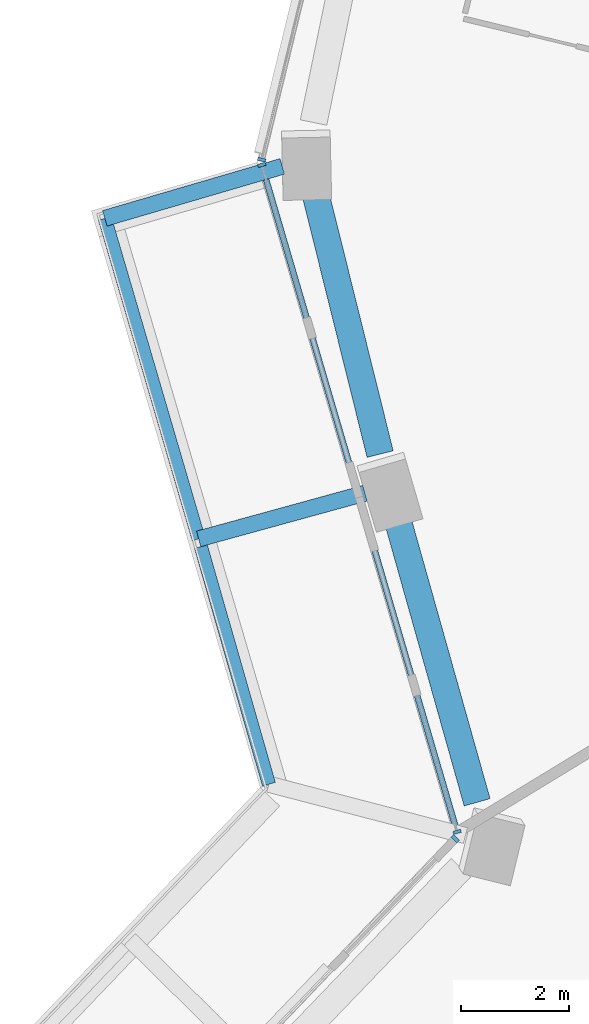
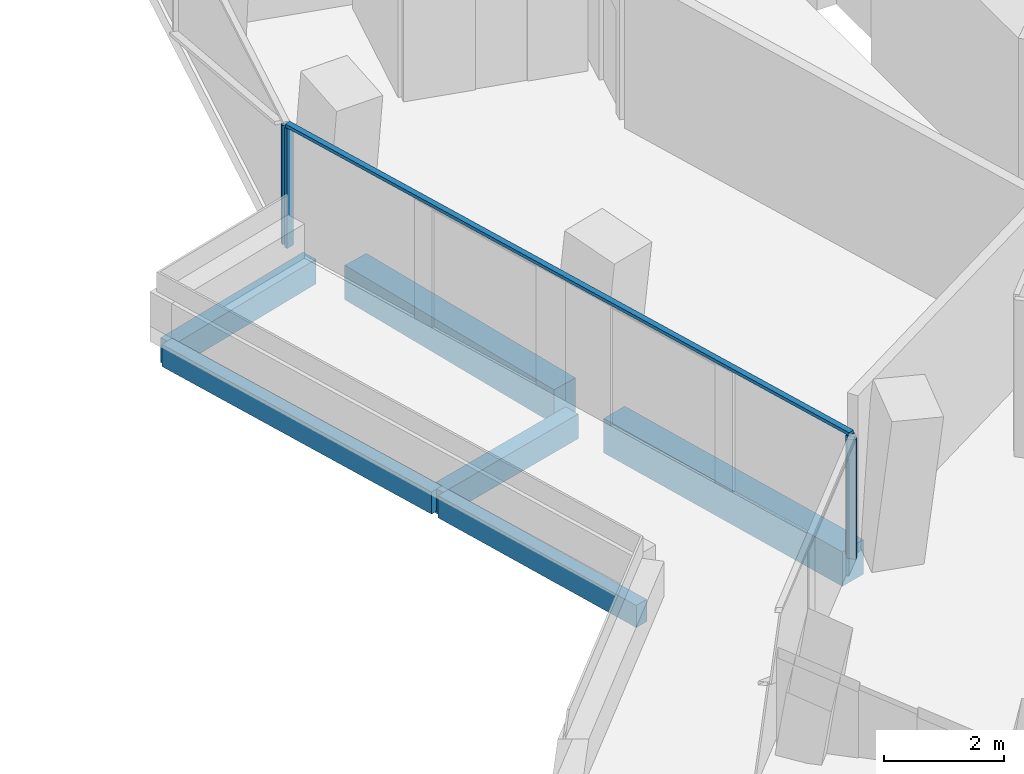
# One storey, part 4 of 25: 6 beams, 5 members, 3 elements without a shape of their own.
"""IFC4 building model written with IfcOpenShell, lengths in metres."""

from ifc_helpers import new_model, si_unit, direction, frame, origin, origin_2d, place, context, subcontext, project, spatial, rectangle, extrude, material, layer, layer_set, material_profile, profile_set, type_object, element, aggregate, save


model = new_model("IFC4")

# Units and contexts
model_context = context("Model", 3, precision=1e-05, world=origin(), true_north=direction((0.0, 1.0)))
body_context = subcontext(model_context, "Body", "Model", "MODEL_VIEW")
ifc_project = project(units=[si_unit("LENGTHUNIT", "METRE"), si_unit("AREAUNIT", "SQUARE_METRE"), si_unit("VOLUMEUNIT", "CUBIC_METRE"), si_unit("PLANEANGLEUNIT", "RADIAN"), si_unit("MASSUNIT", "GRAM", prefix="KILO")], contexts=[model_context])

# Site, building, storey
site_placement = place(None, origin())
site = spatial("IfcSite", under=ifc_project, at=site_placement, CompositionType="ELEMENT")
building_placement = place(site_placement, origin())
building = spatial("IfcBuilding", under=site, at=building_placement, Name="Verdalira Terraces Hotel", CompositionType="ELEMENT")
storey_placement = place(building_placement, frame((0.0, 0.0, 100.0)))
storey = spatial("IfcBuildingStorey", under=building, at=storey_placement, Name="L23", CompositionType="ELEMENT", Elevation=100.0)

# Beams
ifc_material_1 = material(Name="Concrete C40", Category="concrete")
ifc_material_profile_1 = material_profile(ifc_material_1, rectangle(XDim=0.300049, YDim=0.5, at=origin_2d()), Name="RC 300X500")
ifc_profile_set_1 = profile_set([ifc_material_profile_1], Name="Concrete C40")
beam_type_1 = type_object("IfcBeamType", Name="Balcony cantilever beam RC 300X500 C40", PredefinedType="BEAM", material=ifc_profile_set_1)
beam_1_placement = place(storey_placement, frame((-24.635986, -0.652832, -0.560059), z_axis=(-0.959699037, -0.281029817, 0.0), x_axis=(0.281029817, -0.959699037, 0.0)))
element("IfcBeam", 1, at=beam_1_placement, inside=storey, type_object=beam_type_1, Name="Balcony cantilever beam R13-3", PredefinedType="BEAM", context=body_context, shape_type="SweptSolid", body=[
    extrude(rectangle(XDim=0.300049, YDim=0.5, at=origin_2d()), origin(), (0.0, 0.0, 1.0), 3.431396),
])
beam_2_placement = place(storey_placement, frame((-23.100586, -6.719482, -0.560059), z_axis=(-0.964274588, -0.264904734, 0.0), x_axis=(0.264904734, -0.964274588, 0.0)))
element("IfcBeam", 2, at=beam_2_placement, inside=storey, type_object=beam_type_1, Name="Balcony cantilever beam R13-4", PredefinedType="BEAM", context=body_context, shape_type="SweptSolid", body=[
    extrude(rectangle(XDim=0.300049, YDim=0.5, at=origin_2d()), origin(), (0.0, 0.0, 1.0), 3.200684),
])
ifc_material_2 = material(Name="Concrete C40", Category="concrete")
ifc_material_profile_2 = material_profile(ifc_material_2, rectangle(XDim=0.25, YDim=0.449951, at=origin_2d()), Name="RC 250X450")
ifc_profile_set_2 = profile_set([ifc_material_profile_2], Name="Concrete C40")
beam_type_2 = type_object("IfcBeamType", Name="Balcony edge beam RC 250X450 C40", PredefinedType="BEAM", material=ifc_profile_set_2)
beam_3_placement = place(storey_placement, frame((-27.929199, -1.617188, -0.534912), z_axis=(0.280997832, -0.959708403, 0.0), x_axis=(0.959708403, 0.280997832, 0.0)))
element("IfcBeam", 3, at=beam_3_placement, inside=storey, type_object=beam_type_2, Name="Balcony edge beam R13-2", PredefinedType="BEAM", context=body_context, shape_type="SweptSolid", body=[
    extrude(rectangle(XDim=0.25, YDim=0.449951, at=origin_2d()), origin(), (0.0, 0.0, 1.0), 6.199951),
])
beam_4_placement = place(storey_placement, frame((-26.145752, -7.711426, -0.534912), z_axis=(0.275234273, -0.961377187, 0.0), x_axis=(0.961377187, 0.275234273, 0.0)))
element("IfcBeam", 4, at=beam_4_placement, inside=storey, type_object=beam_type_2, Name="Balcony edge beam R13-3", PredefinedType="BEAM", context=body_context, shape_type="SweptSolid", body=[
    extrude(rectangle(XDim=0.25, YDim=0.449951, at=origin_2d()), origin(), (0.0, 0.0, 1.0), 4.586914),
])

# Curtain wall, member
ifc_material_3 = material(Name="Clear glass", Category="glass")
ifc_layer_1 = layer(ifc_material_3, 0.14990234375)
ifc_layer_set_1 = layer_set([ifc_layer_1], Name="CW1 curtain wall")
curtain_wall_type_1 = type_object("IfcCurtainWallType", Name="CW1 curtain wall", PredefinedType="NOTDEFINED", material=ifc_layer_set_1)
curtain_wall_1_placement = place(storey_placement, origin())
curtain_wall_1 = element("IfcCurtainWall", 5, at=curtain_wall_1_placement, inside=storey, type_object=curtain_wall_type_1, Name="CW1 curtain wall L23 edge 12", PredefinedType="NOTDEFINED")
ifc_material_4 = material(Name="Terracotta frame", Category="masonry")
ifc_material_profile_3 = material_profile(ifc_material_4, rectangle(XDim=0.060059, YDim=0.149902, at=origin_2d()), Name="MU 60x150")
ifc_profile_set_3 = profile_set([ifc_material_profile_3], Name="Terracotta frame")
member_type_1 = type_object("IfcMemberType", Name="CW1 mullion 60x150", PredefinedType="MULLION", material=ifc_profile_set_3)
member_1_placement = place(storey_placement, frame((-25.017822, -0.528076, 0.0), z_axis=(0.0, 0.0, 1.0), x_axis=(-0.236498997, -0.971631733, 0.0)))
member_1 = element("IfcMember", 6, at=member_1_placement, type_object=member_type_1, Name="CW1 mullion", PredefinedType="MULLION", context=body_context, shape_type="SweptSolid", body=[
    extrude(rectangle(XDim=0.060059, YDim=0.149902, at=origin_2d()), origin(), (0.0, 0.0, 1.0), 2.425049),
])
aggregate(curtain_wall_1, [member_1])

# Curtain wall, members
curtain_wall_2_placement = place(storey_placement, origin())
curtain_wall_2 = element("IfcCurtainWall", 7, at=curtain_wall_2_placement, inside=storey, type_object=curtain_wall_type_1, Name="CW1 curtain wall L23 edge 13", PredefinedType="NOTDEFINED")
member_2_placement = place(storey_placement, frame((-25.015625, -0.624756, 0.0), z_axis=(0.0, 0.0, 1.0), x_axis=(0.281001727, -0.959707262, 0.0)))
member_2 = element("IfcMember", 8, at=member_2_placement, type_object=member_type_1, Name="CW1 mullion", PredefinedType="MULLION", context=body_context, shape_type="SweptSolid", body=[
    extrude(rectangle(XDim=0.060059, YDim=0.149902, at=origin_2d()), origin(), (0.0, 0.0, 1.0), 2.425049),
])
member_3_placement = place(storey_placement, frame((-21.390869, -13.004883, 0.0), z_axis=(0.0, 0.0, 1.0), x_axis=(0.281001727, -0.959707262, 0.0)))
member_3 = element("IfcMember", 9, at=member_3_placement, type_object=member_type_1, Name="CW1 mullion", PredefinedType="MULLION", context=body_context, shape_type="SweptSolid", body=[
    extrude(rectangle(XDim=0.060059, YDim=0.149902, at=origin_2d()), origin(), (0.0, 0.0, 1.0), 2.425049),
])
ifc_material_5 = material(Name="Terracotta frame", Category="masonry")
ifc_material_profile_4 = material_profile(ifc_material_5, rectangle(XDim=0.110107, YDim=0.064941, at=origin_2d()), Name="TR 65x110")
ifc_profile_set_4 = profile_set([ifc_material_profile_4], Name="Terracotta frame")
member_type_2 = type_object("IfcMemberType", Name="CW1 transom 65x110", PredefinedType="USERDEFINED", material=ifc_profile_set_4)
member_4_placement = place(storey_placement, frame((-25.02417, -0.595947, 2.45752), z_axis=(0.281007517, -0.959705567, 0.0), x_axis=(0.959705567, 0.281007517, 0.0)))
member_4 = element("IfcMember", 10, at=member_4_placement, type_object=member_type_2, Name="CW1 transom", ObjectType="TRANSOM", PredefinedType="USERDEFINED", context=body_context, shape_type="SweptSolid", body=[
    extrude(rectangle(XDim=0.110107, YDim=0.064941, at=origin_2d()), origin(), (0.0, 0.0, 1.0), 12.959961),
])
aggregate(curtain_wall_2, [member_2, member_3, member_4])

# Curtain wall, member
ifc_material_6 = material(Name="Clear glass", Category="glass")
ifc_layer_2 = layer(ifc_material_6, 0.14990234375)
ifc_layer_set_2 = layer_set([ifc_layer_2], Name="CW2 curtain wall")
curtain_wall_type_2 = type_object("IfcCurtainWallType", Name="CW2 curtain wall", PredefinedType="NOTDEFINED", material=ifc_layer_set_2)
curtain_wall_3_placement = place(storey_placement, origin())
curtain_wall_3 = element("IfcCurtainWall", 11, at=curtain_wall_3_placement, inside=storey, type_object=curtain_wall_type_2, Name="CW2 curtain wall L23 edge 14", PredefinedType="NOTDEFINED")
ifc_material_7 = material(Name="Terracotta frame", Category="masonry")
ifc_material_profile_5 = material_profile(ifc_material_7, rectangle(XDim=0.070068, YDim=0.149902, at=origin_2d()), Name="MU 70x150")
ifc_profile_set_5 = profile_set([ifc_material_profile_5], Name="Terracotta frame")
member_type_3 = type_object("IfcMemberType", Name="CW2 mullion 70x150", PredefinedType="MULLION", material=ifc_profile_set_5)
member_5_placement = place(storey_placement, frame((-21.424316, -13.131836, 0.0), z_axis=(0.0, 0.0, 1.0), x_axis=(-0.690630006, -0.723208265, 0.0)))
member_5 = element("IfcMember", 12, at=member_5_placement, type_object=member_type_3, Name="CW2 mullion", PredefinedType="MULLION", context=body_context, shape_type="SweptSolid", body=[
    extrude(rectangle(XDim=0.070068, YDim=0.149902, at=origin_2d()), origin(), (0.0, 0.0, 1.0), 2.425049),
])
aggregate(curtain_wall_3, [member_5])

# Beams
ifc_material_8 = material(Name="Concrete C70", Category="concrete")
ifc_material_profile_6 = material_profile(ifc_material_8, rectangle(XDim=0.5, YDim=0.699951, at=origin_2d()), Name="RC 500X700")
ifc_profile_set_6 = profile_set([ifc_material_profile_6], Name="Concrete C70")
beam_type_3 = type_object("IfcBeamType", Name="Spandrel beam RC 500X700 C70", PredefinedType="SPANDREL", material=ifc_profile_set_6)
beam_5_placement = place(storey_placement, frame((-24.0271, -1.125977, -0.659912), z_axis=(0.240966093, -0.970533535, 0.0), x_axis=(0.970533535, 0.240966093, 0.0)))
element("IfcBeam", 13, at=beam_5_placement, inside=storey, type_object=beam_type_3, Name="Spandrel beam B08", PredefinedType="SPANDREL", context=body_context, shape_type="SweptSolid", body=[
    extrude(rectangle(XDim=0.5, YDim=0.699951, at=origin_2d()), origin(), (0.0, 0.0, 1.0), 5.015137),
])
beam_6_placement = place(storey_placement, frame((-22.520996, -7.118408, -0.659912), z_axis=(0.270950851, -0.962593183, 0.0), x_axis=(0.962593183, 0.270950851, 0.0)))
element("IfcBeam", 14, at=beam_6_placement, inside=storey, type_object=beam_type_3, Name="Spandrel beam B09", PredefinedType="SPANDREL", context=body_context, shape_type="SweptSolid", body=[
    extrude(rectangle(XDim=0.5, YDim=0.699951, at=origin_2d()), origin(), (0.0, 0.0, 1.0), 5.545166),
])

save(model, "model.ifc")
